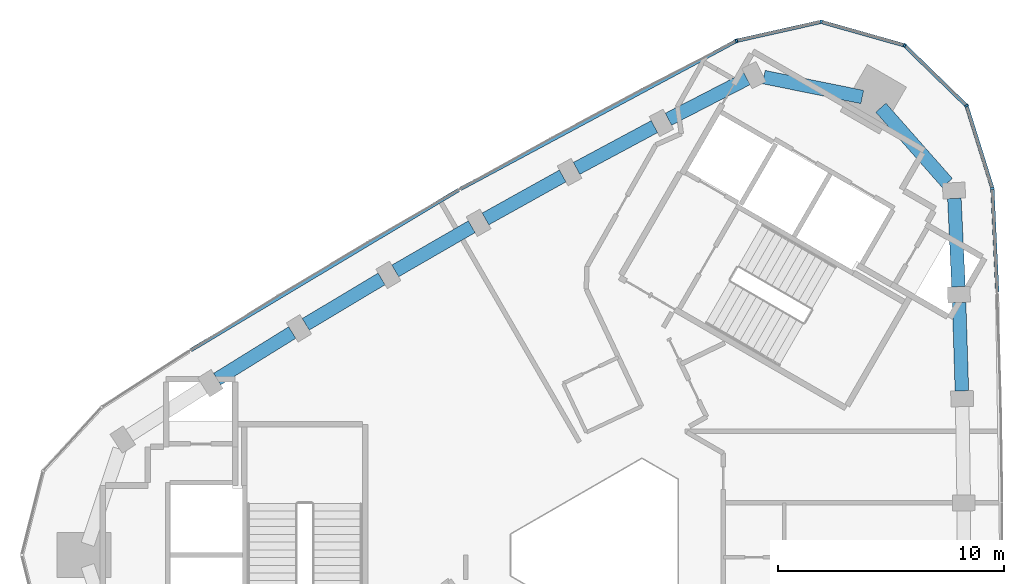
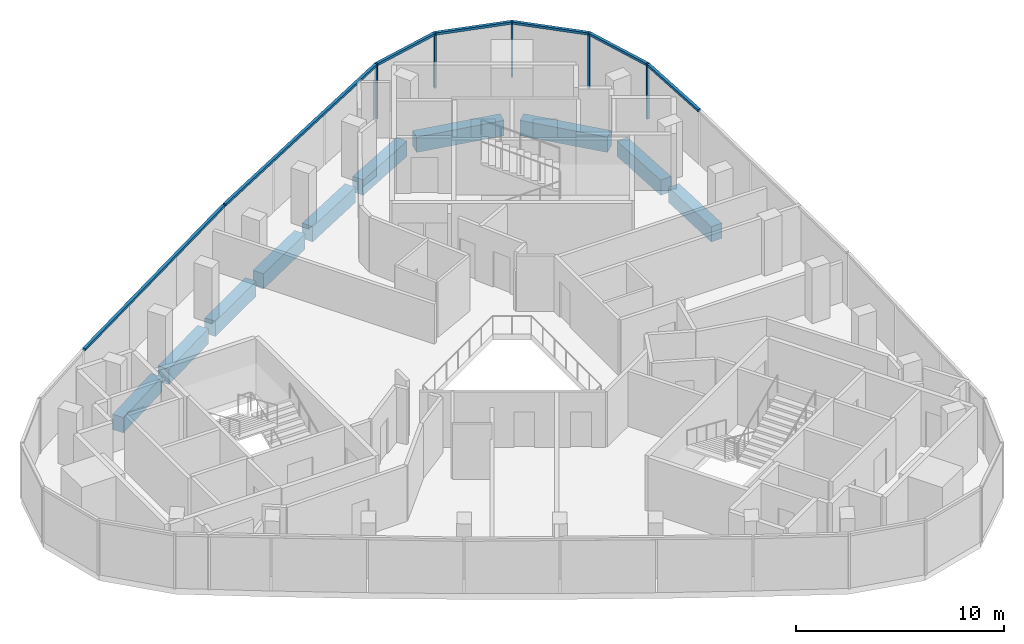
# One storey, part 4 of 10: 12 members, 10 beams, 2 elements without a shape of their own.
"""IFC4 building model written with IfcOpenShell, lengths in metres."""

from ifc_helpers import new_model, si_unit, direction, frame, origin, origin_2d, place, context, subcontext, project, spatial, rectangle, extrude, material, material_profile, profile_set, type_object, element, aggregate, save


model = new_model("IFC4")

# Units and contexts
model_context = context("Model", 3, precision=1e-05, world=origin(), true_north=direction((0.0, 1.0)))
body_context = subcontext(model_context, "Body", "Model", "MODEL_VIEW")
ifc_project = project(units=[si_unit("LENGTHUNIT", "METRE"), si_unit("AREAUNIT", "SQUARE_METRE"), si_unit("VOLUMEUNIT", "CUBIC_METRE"), si_unit("PLANEANGLEUNIT", "RADIAN"), si_unit("MASSUNIT", "GRAM", prefix="KILO")], contexts=[model_context])

# Site, building, storey
site_placement = place(None, origin())
site = spatial("IfcSite", under=ifc_project, at=site_placement, CompositionType="ELEMENT")
building_placement = place(site_placement, origin())
building = spatial("IfcBuilding", under=site, at=building_placement, Name="Tamra Quay Hotel Tower", CompositionType="ELEMENT")
storey_placement = place(building_placement, frame((0.0, 0.0, 265.800048828125)))
storey = spatial("IfcBuildingStorey", under=building, at=storey_placement, Name="L67", CompositionType="ELEMENT", Elevation=265.800048828125)

# Curtain wall, members
ifc_material_1 = material(Name="Aluminium 6063 anodised dark grey", Category="aluminium")
curtain_wall_type_1 = type_object("IfcCurtainWallType", Name="CW1 CURTAIN WALL", PredefinedType="NOTDEFINED", material=ifc_material_1)
curtain_wall_1_placement = place(storey_placement, origin())
curtain_wall_1 = element("IfcCurtainWall", 1, at=curtain_wall_1_placement, inside=storey, type_object=curtain_wall_type_1, Name="CW1 east face L67", PredefinedType="NOTDEFINED")
ifc_material_profile_1 = material_profile(ifc_material_1, rectangle(XDim=0.159912109375, YDim=0.10009765625, at=origin_2d()), Name="MULLION 100X160")
ifc_profile_set_1 = profile_set([ifc_material_profile_1], Name="Aluminium 6063 anodised dark grey")
member_type_1 = type_object("IfcMemberType", Name="MULLION CW1 Z6", PredefinedType="MULLION", material=ifc_profile_set_1)
member_1_placement = place(storey_placement, frame((16.89990234375, 16.210205078125, 0.0), z_axis=(0.0, 0.0, 1.0), x_axis=(0.984739919862, 0.174032440167, 0.0)))
member_1 = element("IfcMember", 2, at=member_1_placement, type_object=member_type_1, Name="CW1 mullion L67.E.8", PredefinedType="MULLION", context=body_context, shape_type="SweptSolid", body=[
    extrude(rectangle(XDim=0.159912109375, YDim=0.10009765625, at=origin_2d()), origin(), (0.0, 0.0, 1.0), 3.25),
])
member_2_placement = place(storey_placement, frame((15.757080078125, 19.865966796875, 0.0), z_axis=(0.0, 0.0, 1.0), x_axis=(0.851964184595, 0.523600065094, 0.0)))
member_2 = element("IfcMember", 3, at=member_2_placement, type_object=member_type_1, Name="CW1 mullion L67.E.9", PredefinedType="MULLION", context=body_context, shape_type="SweptSolid", body=[
    extrude(rectangle(XDim=0.159912109375, YDim=0.10009765625, at=origin_2d()), origin(), (0.0, 0.0, 1.0), 3.25),
])
member_3_placement = place(storey_placement, frame((13.01171875, 22.536865234375, 0.0), z_axis=(0.0, 0.0, 1.0), x_axis=(0.5, 0.866025403784, 0.0)))
member_3 = element("IfcMember", 4, at=member_3_placement, type_object=member_type_1, Name="CW1 mullion L67.E.10", PredefinedType="MULLION", context=body_context, shape_type="SweptSolid", body=[
    extrude(rectangle(XDim=0.159912109375, YDim=0.10009765625, at=origin_2d()), origin(), (0.0, 0.0, 1.0), 3.25),
])
member_4_placement = place(storey_placement, frame((9.325927734375, 23.578857421875, 0.0), z_axis=(0.0, 0.0, 1.0), x_axis=(0.027468865497, 0.999622659521, 0.0)))
member_4 = element("IfcMember", 5, at=member_4_placement, type_object=member_type_1, Name="CW1 mullion L67.E.11", PredefinedType="MULLION", context=body_context, shape_type="SweptSolid", body=[
    extrude(rectangle(XDim=0.159912109375, YDim=0.10009765625, at=origin_2d()), origin(), (0.0, 0.0, 1.0), 3.25),
])

# Curtain wall, member
curtain_wall_type_2 = type_object("IfcCurtainWallType", Name="CW2 CURTAIN WALL", PredefinedType="NOTDEFINED", material=ifc_material_1)
curtain_wall_2_placement = place(storey_placement, origin())
curtain_wall_2 = element("IfcCurtainWall", 6, at=curtain_wall_2_placement, inside=storey, type_object=curtain_wall_type_2, Name="CW2 north-west face L67", PredefinedType="NOTDEFINED")
ifc_material_profile_2 = material_profile(ifc_material_1, rectangle(XDim=0.159912109375, YDim=0.10009765625, at=origin_2d()), Name="MULLION 100X160")
ifc_profile_set_2 = profile_set([ifc_material_profile_2], Name="Aluminium 6063 anodised dark grey")
member_type_2 = type_object("IfcMemberType", Name="MULLION CW2 Z6", PredefinedType="MULLION", material=ifc_profile_set_2)
member_5_placement = place(storey_placement, frame((5.588623046875, 22.740966796875, 0.0), z_axis=(0.0, 0.0, 1.0), x_axis=(-0.341653445664, 0.939826006804, 0.0)))
member_5 = element("IfcMember", 7, at=member_5_placement, type_object=member_type_2, Name="CW2 mullion L67.NW.1", PredefinedType="MULLION", context=body_context, shape_type="SweptSolid", body=[
    extrude(rectangle(XDim=0.159912109375, YDim=0.10009765625, at=origin_2d()), origin(), (0.0, 0.0, 1.0), 3.25),
])

# Beams
ifc_material_2 = material(Name="Concrete M60", Category="concrete")
ifc_material_profile_3 = material_profile(ifc_material_2, rectangle(XDim=0.60009765625, YDim=0.89990234375, at=origin_2d()), Name="SPANDREL BEAM RC 600x900")
ifc_profile_set_3 = profile_set([ifc_material_profile_3], Name="Concrete M60")
beam_type = type_object("IfcBeamType", Name="SPANDREL BEAM RC 600x900", PredefinedType="SPANDREL", material=ifc_profile_set_3)
beam_1_placement = place(storey_placement, frame((15.55126953125, 7.259765625, -0.800048828125), z_axis=(-0.031240604276, 0.999511893198, 0.0), x_axis=(-0.999511893198, -0.031240604276, 0.0)))
element("IfcBeam", 8, at=beam_1_placement, inside=storey, type_object=beam_type, Name="BM-SP6-005-L67", PredefinedType="SPANDREL", context=body_context, shape_type="SweptSolid", body=[
    extrude(rectangle(XDim=0.60009765625, YDim=0.89990234375, at=origin_2d()), origin(), (0.0, 0.0, 1.0), 3.907470703125),
])
beam_2_placement = place(storey_placement, frame((15.40185546875, 11.86474609375, -0.800048828125), z_axis=(-0.04680507522, 0.998904041905, 0.0), x_axis=(-0.998904041905, -0.04680507522, 0.0)))
element("IfcBeam", 9, at=beam_2_placement, inside=storey, type_object=beam_type, Name="BM-SP6-006-L67", PredefinedType="SPANDREL", context=body_context, shape_type="SweptSolid", body=[
    extrude(rectangle(XDim=0.60009765625, YDim=0.89990234375, at=origin_2d()), origin(), (0.0, 0.0, 1.0), 3.906982421875),
])
beam_3_placement = place(storey_placement, frame((14.9072265625, 16.451171875, -0.800048828125), z_axis=(-0.661856103448, 0.749630908066, 0.0), x_axis=(-0.749630908066, -0.661856103448, 0.0)))
element("IfcBeam", 10, at=beam_3_placement, inside=storey, type_object=beam_type, Name="BM-SP6-007-L67", PredefinedType="SPANDREL", context=body_context, shape_type="SweptSolid", body=[
    extrude(rectangle(XDim=0.60009765625, YDim=0.89990234375, at=origin_2d()), origin(), (0.0, 0.0, 1.0), 4.44189453125),
])
beam_4_placement = place(storey_placement, frame((11.146728515625, 20.25439453125, -0.800048828125), z_axis=(-0.980114952618, 0.198430541133, 0.0), x_axis=(-0.198430541133, -0.980114952618, 0.0)))
element("IfcBeam", 11, at=beam_4_placement, inside=storey, type_object=beam_type, Name="BM-SP6-008-L67", PredefinedType="SPANDREL", context=body_context, shape_type="SweptSolid", body=[
    extrude(rectangle(XDim=0.60009765625, YDim=0.89990234375, at=origin_2d()), origin(), (0.0, 0.0, 1.0), 4.441650390625),
])
beam_5_placement = place(storey_placement, frame((6.04541015625, 21.063720703125, -0.800048828125), z_axis=(-0.888476019227, -0.458923047208, 0.0), x_axis=(0.458923047208, -0.888476019227, 0.0)))
element("IfcBeam", 12, at=beam_5_placement, inside=storey, type_object=beam_type, Name="BM-SP6-009-L67", PredefinedType="SPANDREL", context=body_context, shape_type="SweptSolid", body=[
    extrude(rectangle(XDim=0.60009765625, YDim=0.89990234375, at=origin_2d()), origin(), (0.0, 0.0, 1.0), 3.906982421875),
])
beam_6_placement = place(storey_placement, frame((1.954833984375, 18.944580078125, -0.800048828125), z_axis=(-0.88123835064, -0.472672158437, 0.0), x_axis=(0.472672158437, -0.88123835064, 0.0)))
element("IfcBeam", 13, at=beam_6_placement, inside=storey, type_object=beam_type, Name="BM-SP6-010-L67", PredefinedType="SPANDREL", context=body_context, shape_type="SweptSolid", body=[
    extrude(rectangle(XDim=0.60009765625, YDim=0.89990234375, at=origin_2d()), origin(), (0.0, 0.0, 1.0), 3.907470703125),
])
for number, where, z_axis, x_axis, name in (
    (14, (-2.102783203125, 16.761962890625, -0.800048828125), (-0.873726581477, -0.486417373066, 0.0), (0.486417373066, -0.873726581477, 0.0), "BM-SP6-011-L67"),
    (15, (-6.125244140625, 14.516357421875, -0.800048828125), (-0.866011803689, -0.500023555316, 0.0), (0.500023555316, -0.866011803689, 0.0), "BM-SP6-012-L67"),
):
    element("IfcBeam", number, at=place(storey_placement, frame(where, z_axis=z_axis, x_axis=x_axis)), inside=storey, type_object=beam_type, Name=name, PredefinedType="SPANDREL", context=body_context, shape_type="SweptSolid", body=[
        extrude(rectangle(XDim=0.60009765625, YDim=0.89990234375, at=origin_2d()), origin(), (0.0, 0.0, 1.0), 3.906982421875),
    ])
beam_7_placement = place(storey_placement, frame((-10.1123046875, 12.2080078125, -0.800048828125), z_axis=(-0.858120821909, -0.513447811376, 0.0), x_axis=(0.513447811376, -0.858120821909, 0.0)))
element("IfcBeam", 16, at=beam_7_placement, inside=storey, type_object=beam_type, Name="BM-SP6-013-L67", PredefinedType="SPANDREL", context=body_context, shape_type="SweptSolid", body=[
    extrude(rectangle(XDim=0.60009765625, YDim=0.89990234375, at=origin_2d()), origin(), (0.0, 0.0, 1.0), 3.9072265625),
])
beam_8_placement = place(storey_placement, frame((-14.062744140625, 9.837890625, -0.800048828125), z_axis=(-0.849972078006, -0.526827739029, 0.0), x_axis=(0.526827739029, -0.849972078006, 0.0)))
element("IfcBeam", 17, at=beam_8_placement, inside=storey, type_object=beam_type, Name="BM-SP6-014-L67", PredefinedType="SPANDREL", context=body_context, shape_type="SweptSolid", body=[
    extrude(rectangle(XDim=0.60009765625, YDim=0.89990234375, at=origin_2d()), origin(), (0.0, 0.0, 1.0), 3.907470703125),
])

# Member
ifc_material_profile_4 = material_profile(ifc_material_1, rectangle(XDim=0.159912109375, YDim=0.139892578125, at=origin_2d()), Name="TRANSOM 160X140")
ifc_profile_set_4 = profile_set([ifc_material_profile_4], Name="Aluminium 6063 anodised dark grey")
member_type_3 = type_object("IfcMemberType", Name="TRANSOM CW1 Z6", PredefinedType="USERDEFINED", material=ifc_profile_set_4)
member_6_placement = place(storey_placement, frame((17.114501953125, 11.630859375, 3.179931640625), z_axis=(-0.046787491417, 0.998904865664, 0.0), x_axis=(-0.998904865664, -0.046787491417, 0.0)))
member_6 = element("IfcMember", 18, at=member_6_placement, type_object=member_type_3, Name="CW1 transom L67.E.7", ObjectType="TRANSOM", PredefinedType="USERDEFINED", context=body_context, shape_type="SweptSolid", body=[
    extrude(rectangle(XDim=0.159912109375, YDim=0.139892578125, at=origin_2d()), origin(), (0.0, 0.0, 1.0), 4.534423828125),
])

member_7_placement = place(storey_placement, frame((16.885009765625, 16.258056640625, 3.179931640625), z_axis=(-0.298383063983, 0.95444619918, 0.0), x_axis=(-0.95444619918, -0.298383063983, 0.0)))
member_7 = element("IfcMember", 19, at=member_7_placement, type_object=member_type_3, Name="CW1 transom L67.E.8", ObjectType="TRANSOM", PredefinedType="USERDEFINED", context=body_context, shape_type="SweptSolid", body=[
    extrude(rectangle(XDim=0.159912109375, YDim=0.139892578125, at=origin_2d()), origin(), (0.0, 0.0, 1.0), 3.730224609375),
])

member_8_placement = place(storey_placement, frame((15.72119140625, 19.90087890625, 3.179931640625), z_axis=(-0.716759527702, 0.697320428102, 0.0), x_axis=(-0.697320428102, -0.716759527702, 0.0)))
member_8 = element("IfcMember", 20, at=member_8_placement, type_object=member_type_3, Name="CW1 transom L67.E.9", ObjectType="TRANSOM", PredefinedType="USERDEFINED", context=body_context, shape_type="SweptSolid", body=[
    extrude(rectangle(XDim=0.159912109375, YDim=0.139892578125, at=origin_2d()), origin(), (0.0, 0.0, 1.0), 3.72998046875),
])

member_9_placement = place(storey_placement, frame((12.963623046875, 22.550537109375, 3.179931640625), z_axis=(-0.9622784918, 0.272066359955, 0.0), x_axis=(-0.272066359955, -0.9622784918, 0.0)))
member_9 = element("IfcMember", 21, at=member_9_placement, type_object=member_type_3, Name="CW1 transom L67.E.10", ObjectType="TRANSOM", PredefinedType="USERDEFINED", context=body_context, shape_type="SweptSolid", body=[
    extrude(rectangle(XDim=0.159912109375, YDim=0.139892578125, at=origin_2d()), origin(), (0.0, 0.0, 1.0), 3.730224609375),
])

member_10_placement = place(storey_placement, frame((9.277099609375, 23.568115234375, 3.179931640625), z_axis=(-0.975757055509, -0.218856502356, 0.0), x_axis=(0.218856502356, -0.975757055509, 0.0)))
member_10 = element("IfcMember", 22, at=member_10_placement, type_object=member_type_3, Name="CW1 transom L67.E.11", ObjectType="TRANSOM", PredefinedType="USERDEFINED", context=body_context, shape_type="SweptSolid", body=[
    extrude(rectangle(XDim=0.159912109375, YDim=0.139892578125, at=origin_2d()), origin(), (0.0, 0.0, 1.0), 3.730224609375),
])

aggregate(curtain_wall_1, [member_6, member_1, member_7, member_2, member_8, member_3, member_9, member_4, member_10])

ifc_material_profile_5 = material_profile(ifc_material_1, rectangle(XDim=0.159912109375, YDim=0.139892578125, at=origin_2d()), Name="TRANSOM 160X140")
ifc_profile_set_5 = profile_set([ifc_material_profile_5], Name="Aluminium 6063 anodised dark grey")
member_type_4 = type_object("IfcMemberType", Name="TRANSOM CW2 Z6", PredefinedType="USERDEFINED", material=ifc_profile_set_5)
member_11_placement = place(storey_placement, frame((5.544189453125, 22.718017578125, 3.179931640625), z_axis=(-0.881218148164, -0.472709821504, 0.0), x_axis=(0.472709821504, -0.881218148164, 0.0)))
member_11 = element("IfcMember", 23, at=member_11_placement, type_object=member_type_4, Name="CW2 transom L67.NW.1", ObjectType="TRANSOM", PredefinedType="USERDEFINED", context=body_context, shape_type="SweptSolid", body=[
    extrude(rectangle(XDim=0.159912109375, YDim=0.139892578125, at=origin_2d()), origin(), (0.0, 0.0, 1.0), 13.800048828125),
])

member_12_placement = place(storey_placement, frame((-6.703857421875, 16.145263671875, 3.179931640625), z_axis=(-0.858107364644, -0.513470301715, 0.0), x_axis=(0.513470301715, -0.858107364644, 0.0)))
member_12 = element("IfcMember", 24, at=member_12_placement, type_object=member_type_4, Name="CW2 transom L67.NW.4", ObjectType="TRANSOM", PredefinedType="USERDEFINED", context=body_context, shape_type="SweptSolid", body=[
    extrude(rectangle(XDim=0.159912109375, YDim=0.139892578125, at=origin_2d()), origin(), (0.0, 0.0, 1.0), 13.799560546875),
])

aggregate(curtain_wall_2, [member_5, member_11, member_12])

save(model, "model.ifc")
